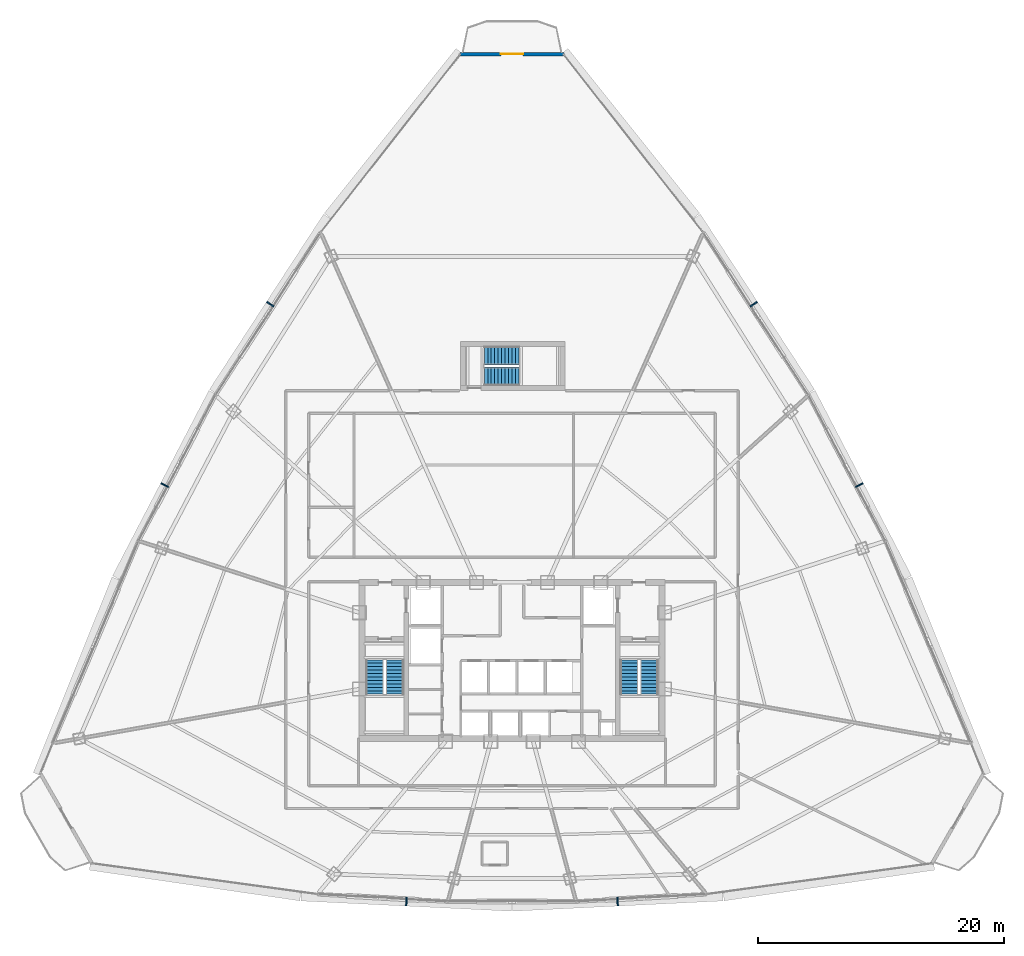
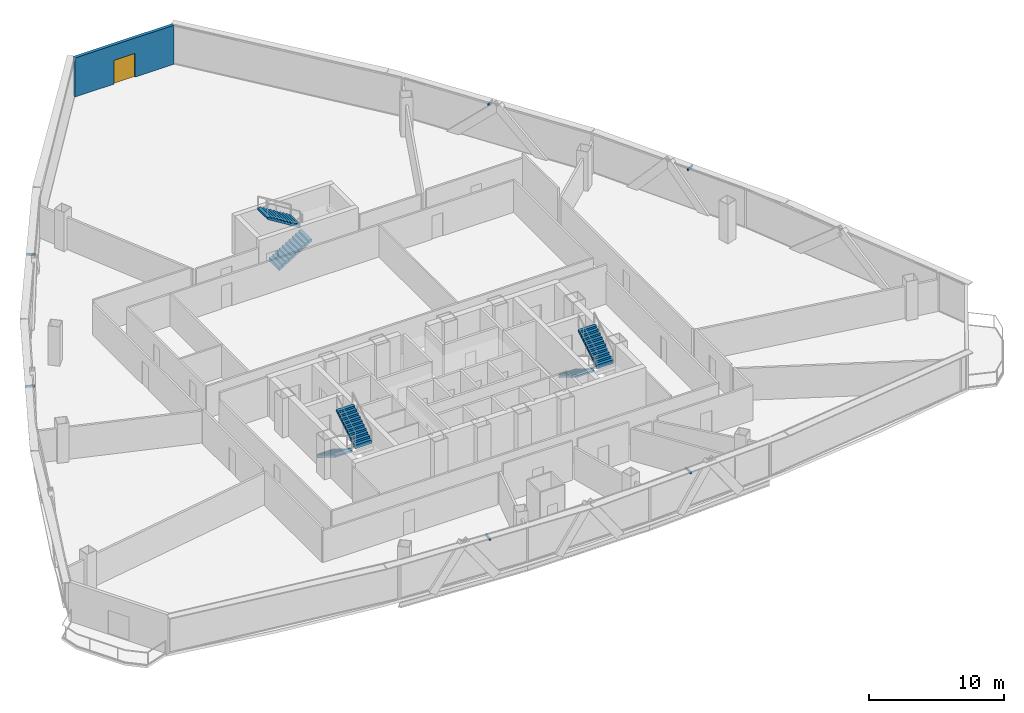
# One storey, part 33 of 37: 6 discrete accessories, 6 stair flights, 1 door, 1 wall, 1 opening, 3 elements without a shape of their own.
"""IFC4 building model written with IfcOpenShell, lengths in metres."""

from ifc_helpers import new_model, si_unit, direction, frame, frame_2d, origin, origin_with_axes, origin_2d, place, context, subcontext, project, spatial, polyline, rectangle, outline, extrude, source, transform, mapped, material, layer, layer_set, type_object, element, fill, aggregate, save


model = new_model("IFC4")

# Units and contexts
model_context = context("Model", 3, precision=1e-05, world=origin(), true_north=direction((0.0, 1.0)))
body_context = subcontext(model_context, "Body", "Model", "MODEL_VIEW")
ifc_project = project(units=[si_unit("LENGTHUNIT", "METRE"), si_unit("AREAUNIT", "SQUARE_METRE"), si_unit("VOLUMEUNIT", "CUBIC_METRE"), si_unit("PLANEANGLEUNIT", "RADIAN"), si_unit("MASSUNIT", "GRAM", prefix="KILO"), si_unit("THERMODYNAMICTEMPERATUREUNIT", "KELVIN"), si_unit("POWERUNIT", "WATT")], contexts=[model_context])

# Site, building, storey
site_placement = place(None, origin())
site = spatial("IfcSite", under=ifc_project, at=site_placement, CompositionType="ELEMENT")
building_placement = place(site_placement, origin())
building = spatial("IfcBuilding", under=site, at=building_placement, Name="Yunzhuo Pagoda Commons", CompositionType="ELEMENT")
storey_placement = place(building_placement, frame((0.0, 0.0, 196.159912109375)))
storey = spatial("IfcBuildingStorey", under=building, at=storey_placement, Name="L49", CompositionType="ELEMENT", Elevation=196.159912109375)

# Wall, opening, door
ifc_material_1 = material(Name="Precast concrete C40", Category="concrete")
ifc_layer = layer(ifc_material_1, 0.260009765625)
ifc_layer_set = layer_set([ifc_layer], Name="Precast concrete C40")
wall_type = type_object("IfcWallType", Name="W-BAL1 Corner Balcony Threshold Wall 260", PredefinedType="STANDARD", material=ifc_layer_set)
wall_placement = place(storey_placement, frame((52.25, 83.16748046875, 0.0), z_axis=(0.0, 0.0, 1.0), x_axis=(-1.0, 0.0, 0.0)))
wall = element("IfcWall", 1, at=wall_placement, inside=storey, type_object=wall_type, Name="L49 corner balcony wall V3", PredefinedType="STANDARD", context=body_context, shape_type="SweptSolid", body=[
    extrude(rectangle(XDim=8.5, YDim=0.260009765625, at=frame_2d((4.25, 0.0))), origin(), (0.0, 0.0, 1.0), 3.5400390625),
])
opening_placement = place(wall_placement, frame((3.35009765625, 0.0, 0.0)))
opening = element("IfcOpeningElement", 2, at=opening_placement, cuts=wall, Name="Opening D-BAL1", PredefinedType="OPENING", context=body_context, shape_type="SweptSolid", body=[
    extrude(rectangle(XDim=1.800048828125, YDim=2.14990234375, at=frame_2d((0.89990234375, 1.074951171875))), frame((0.0, 0.14013671875, 0.0), z_axis=(0.0, -1.0, 0.0), x_axis=(1.0, 0.0, 0.0)), (0.0, 0.0, 1.0), 0.280029296875),
])
ifc_material_2 = material(Name="Anodized aluminium frame and tempered glazed leaf", Category="aluminium")
door_type = type_object("IfcDoorType", Name="D-BAL1 Corner Balcony Sliding Glazed Door 1800x2150", OperationType="DOUBLE_DOOR_SLIDING", PredefinedType="DOOR", material=ifc_material_2)
shared_shape_1 = source(origin(), body_context, "Body", "SweptSolid", [
    extrude(rectangle(XDim=1.800048828125, YDim=2.14990234375, at=frame_2d((0.89990234375, 1.074951171875))), frame((0.0, 0.02490234375, 0.0), z_axis=(0.0, -1.0, 0.0), x_axis=(1.0, 0.0, 0.0)), (0.0, 0.0, 1.0), 0.050048828125),
])
door_placement = place(opening_placement, origin_with_axes())
door = element("IfcDoor", 3, at=door_placement, inside=storey, type_object=door_type, Name="L49 corner balcony sliding door V3", OperationType="DOUBLE_DOOR_SLIDING", OverallHeight=2.14990234375, OverallWidth=1.800048828125, PredefinedType="DOOR", context=body_context, shape_type="MappedRepresentation", body=[
    mapped(shared_shape_1, transform((0.0, 0.0, 0.0), scale=1.0)),
])
fill(opening, door)

# Stair, stair flights
ifc_material_3 = material(Name="Concrete C40", Category="concrete")
stair_type_1 = type_object("IfcStairType", Name="ST-C1 Core Smokeproof Stair ST1", PredefinedType="HALF_TURN_STAIR", material=ifc_material_3)
stair_1_placement = place(storey_placement, origin())
stair_1 = element("IfcStair", 4, at=stair_1_placement, inside=storey, type_object=stair_type_1, Name="L49 Core smokeproof stair ST1", PredefinedType="HALF_TURN_STAIR")
stair_flight_type_1 = type_object("IfcStairFlightType", Name="STF-C1 Core Stair Flight 1450", PredefinedType="STRAIGHT", material=ifc_material_3)
shared_shape_2 = source(origin(), body_context, "Body", "SweptSolid", [
    extrude(outline(polyline([(0.0, -0.14990234375), (0.0, 0.0), (0.0, 0.172607421875), (0.280029296875, 0.172607421875), (0.280029296875, 0.345458984375), (0.56005859375, 0.345458984375), (0.56005859375, 0.51806640625), (0.840087890625, 0.51806640625), (0.840087890625, 0.69091796875), (1.1201171875, 0.69091796875), (1.1201171875, 0.863525390625), (1.39990234375, 0.863525390625), (1.39990234375, 1.036376953125), (1.679931640625, 1.036376953125), (1.679931640625, 1.208984375), (1.9599609375, 1.208984375), (1.9599609375, 1.3818359375), (2.239990234375, 1.3818359375), (2.239990234375, 1.554443359375), (2.52001953125, 1.554443359375), (2.52001953125, 1.727294921875), (2.800048828125, 1.727294921875), (2.800048828125, 1.89990234375), (2.800048828125, 1.551025390625), (0.285400390625, 0.0), (0.050048828125, -0.14990234375), (0.0, -0.14990234375)])), frame((0.0, 0.72509765625, 0.0), z_axis=(0.0, -1.0, 0.0), x_axis=(1.0, 0.0, 0.0)), (0.0, 0.0, 1.0), 1.449951171875),
])
stair_flight_1_placement = place(storey_placement, frame((36.824951171875, 33.89990234375, 0.0), z_axis=(0.0, 0.0, 1.0), x_axis=(0.0, -1.0, 0.0)))
stair_flight_1 = element("IfcStairFlight", 5, at=stair_flight_1_placement, type_object=stair_flight_type_1, Name="ST1 flight 1", NumberOfRisers=11, NumberOfTreads=10, PredefinedType="STRAIGHT", RiserHeight=0.172727273, TreadLength=0.28, context=body_context, shape_type="MappedRepresentation", body=[
    mapped(shared_shape_2, transform((0.0, 0.0, 0.0), scale=1.0)),
])
stair_flight_2_placement = place(storey_placement, frame((38.47509765625, 31.10009765625, 1.900146484375), z_axis=(0.0, 0.0, 1.0), x_axis=(0.0, 1.0, 0.0)))
stair_flight_2 = element("IfcStairFlight", 6, at=stair_flight_2_placement, type_object=stair_flight_type_1, Name="ST1 flight 2", NumberOfRisers=11, NumberOfTreads=10, PredefinedType="STRAIGHT", RiserHeight=0.172727273, TreadLength=0.28, context=body_context, shape_type="MappedRepresentation", body=[
    mapped(shared_shape_2, transform((0.0, 0.0, 0.0), scale=1.0)),
])
aggregate(stair_1, [stair_flight_1, stair_flight_2])

stair_type_2 = type_object("IfcStairType", Name="ST-C2 Core Smokeproof Stair ST2", PredefinedType="HALF_TURN_STAIR", material=ifc_material_3)
stair_2_placement = place(storey_placement, origin())
stair_2 = element("IfcStair", 7, at=stair_2_placement, inside=storey, type_object=stair_type_2, Name="L49 Core smokeproof stair ST2", PredefinedType="HALF_TURN_STAIR")
stair_flight_type_2 = type_object("IfcStairFlightType", Name="STF-C2 Core Stair Flight 1460", PredefinedType="STRAIGHT", material=ifc_material_3)
stair_flight_3_placement = place(storey_placement, frame((57.52490234375, 33.89990234375, 0.0), z_axis=(0.0, 0.0, 1.0), x_axis=(0.0, -1.0, 0.0)))
stair_flight_3 = element("IfcStairFlight", 8, at=stair_flight_3_placement, type_object=stair_flight_type_2, Name="ST2 flight 1", NumberOfRisers=11, NumberOfTreads=10, PredefinedType="STRAIGHT", RiserHeight=0.172727273, TreadLength=0.28, context=body_context, shape_type="MappedRepresentation", body=[
    mapped(shared_shape_2, transform((0.0, 0.0, 0.0), scale=1.0)),
])
stair_flight_4_placement = place(storey_placement, frame((59.175048828125, 31.10009765625, 1.900146484375), z_axis=(0.0, 0.0, 1.0), x_axis=(0.0, 1.0, 0.0)))
stair_flight_4 = element("IfcStairFlight", 9, at=stair_flight_4_placement, type_object=stair_flight_type_2, Name="ST2 flight 2", NumberOfRisers=11, NumberOfTreads=10, PredefinedType="STRAIGHT", RiserHeight=0.172727273, TreadLength=0.28, context=body_context, shape_type="MappedRepresentation", body=[
    mapped(shared_shape_2, transform((0.0, 0.0, 0.0), scale=1.0)),
])
aggregate(stair_2, [stair_flight_3, stair_flight_4])

stair_type_3 = type_object("IfcStairType", Name="ST-C3 North Tower Smokeproof Stair ST3", PredefinedType="HALF_TURN_STAIR", material=ifc_material_3)
stair_3_placement = place(storey_placement, origin())
stair_3 = element("IfcStair", 10, at=stair_3_placement, inside=storey, type_object=stair_type_3, Name="L49 North tower smokeproof stair ST3", PredefinedType="HALF_TURN_STAIR")
stair_flight_type_3 = type_object("IfcStairFlightType", Name="STF-C3 North Stair Flight 1500", PredefinedType="STRAIGHT", material=ifc_material_3)
shared_shape_3 = source(origin(), body_context, "Body", "SweptSolid", [
    extrude(outline(polyline([(0.0, -0.14990234375), (0.0, 0.0), (0.0, 0.172607421875), (0.280029296875, 0.172607421875), (0.280029296875, 0.345458984375), (0.56005859375, 0.345458984375), (0.56005859375, 0.51806640625), (0.840087890625, 0.51806640625), (0.840087890625, 0.69091796875), (1.1201171875, 0.69091796875), (1.1201171875, 0.863525390625), (1.39990234375, 0.863525390625), (1.39990234375, 1.036376953125), (1.679931640625, 1.036376953125), (1.679931640625, 1.208984375), (1.9599609375, 1.208984375), (1.9599609375, 1.3818359375), (2.239990234375, 1.3818359375), (2.239990234375, 1.554443359375), (2.52001953125, 1.554443359375), (2.52001953125, 1.727294921875), (2.800048828125, 1.727294921875), (2.800048828125, 1.89990234375), (2.800048828125, 1.551025390625), (0.285400390625, 0.0), (0.050048828125, -0.14990234375), (0.0, -0.14990234375)])), frame((0.0, 0.75, 0.0), z_axis=(0.0, -1.0, 0.0), x_axis=(1.0, 0.0, 0.0)), (0.0, 0.0, 1.0), 1.5),
])
stair_flight_5_placement = place(storey_placement, frame((45.75, 56.949951171875, 0.0), z_axis=(0.0, 0.0, 1.0), x_axis=(1.0, 0.0, 0.0)))
stair_flight_5 = element("IfcStairFlight", 11, at=stair_flight_5_placement, type_object=stair_flight_type_3, Name="ST3 flight 1", NumberOfRisers=11, NumberOfTreads=10, PredefinedType="STRAIGHT", RiserHeight=0.172727273, TreadLength=0.28, context=body_context, shape_type="MappedRepresentation", body=[
    mapped(shared_shape_3, transform((0.0, 0.0, 0.0), scale=1.0)),
])
stair_flight_6_placement = place(storey_placement, frame((48.550048828125, 58.64990234375, 1.900146484375), z_axis=(0.0, 0.0, 1.0), x_axis=(-1.0, 0.0, 0.0)))
stair_flight_6 = element("IfcStairFlight", 12, at=stair_flight_6_placement, type_object=stair_flight_type_3, Name="ST3 flight 2", NumberOfRisers=11, NumberOfTreads=10, PredefinedType="STRAIGHT", RiserHeight=0.172727273, TreadLength=0.28, context=body_context, shape_type="MappedRepresentation", body=[
    mapped(shared_shape_3, transform((0.0, 0.0, 0.0), scale=1.0)),
])
aggregate(stair_3, [stair_flight_5, stair_flight_6])

# Discrete accessories
ifc_material_4 = material(Name="Anodized aluminium 6063-T6", Category="aluminium")
discrete_accessory_type = type_object("IfcDiscreteAccessoryType", Name="BK-SUN1 Sunshade Outrigger Bracket", PredefinedType="BRACKET", material=ifc_material_4)
shared_shape_4 = source(origin(), body_context, "Body", "SweptSolid", [
    extrude(rectangle(XDim=0.1201171875, YDim=0.679931640625, at=origin_2d()), origin(), (0.0, 0.0, 1.0), 0.179931640625),
])
for number, where, z_axis, x_axis, name in (
    (13, (39.408447265625, 14.227294921875, 3.330078125), (0.0, 0.0, 1.0), (0.998818043775, -0.04860571396, 0.0), "L49 sunshade outrigger bracket F1.2"),
    (14, (56.591552734375, 14.227294921875, 3.330078125), (0.0, 0.0, 1.0), (0.998818043775, 0.04860571396, 0.0), "L49 sunshade outrigger bracket F1.3"),
    (15, (76.256591796875, 48.109619140625, 3.330078125), (0.0, 0.0, 1.0), (-0.461206683033, 0.88729273384, 0.0), "L49 sunshade outrigger bracket F2.2"),
    (16, (67.6650390625, 62.827880859375, 3.330078125), (0.0, 0.0, 1.0), (-0.545838756973, 0.837890238269, 0.0), "L49 sunshade outrigger bracket F2.3"),
    (17, (28.3349609375, 62.827880859375, 3.330078125), (0.0, 0.0, 1.0), (-0.545838756973, -0.837890238269, 0.0), "L49 sunshade outrigger bracket F3.2"),
    (18, (19.743408203125, 48.109619140625, 3.330078125), (0.0, 0.0, 1.0), (-0.461206683033, -0.88729273384, 0.0), "L49 sunshade outrigger bracket F3.3"),
):
    element("IfcDiscreteAccessory", number, at=place(storey_placement, frame(where, z_axis=z_axis, x_axis=x_axis)), inside=storey, type_object=discrete_accessory_type, Name=name, PredefinedType="BRACKET", context=body_context, shape_type="MappedRepresentation", body=[
        mapped(shared_shape_4, transform((0.0, 0.0, 0.0), scale=1.0)),
    ])

save(model, "model.ifc")
